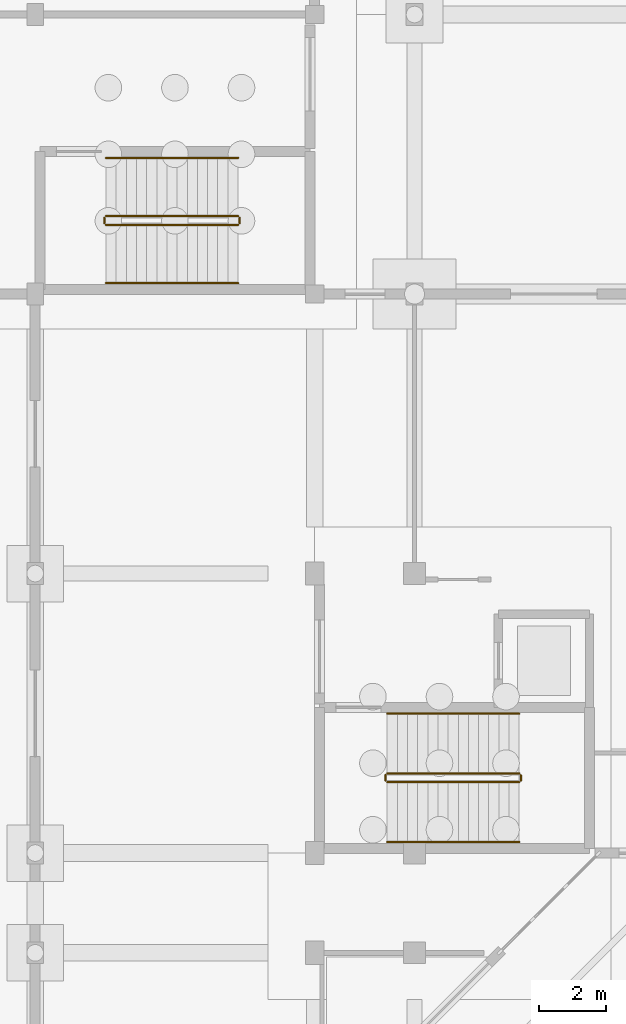
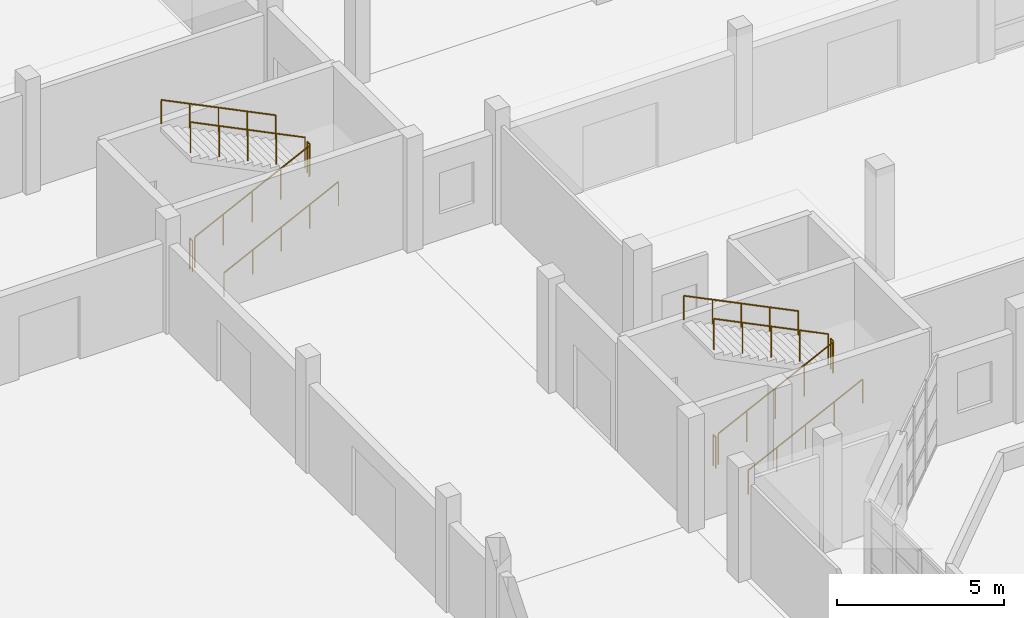
# One storey, part 81 of 88: 12 railings.
"""IFC4 building model written with IfcOpenShell, lengths in metres."""

from ifc_helpers import new_model, si_unit, direction, frame, origin, origin_2d, place, context, subcontext, project, spatial, circle, extrude, material, type_object, element, save


model = new_model("IFC4")

# Units and contexts
model_context = context("Model", 3, precision=1e-05, world=origin(), true_north=direction((0.0, 1.0)))
body_context = subcontext(model_context, "Body", "Model", "MODEL_VIEW")
ifc_project = project(units=[si_unit("LENGTHUNIT", "METRE"), si_unit("AREAUNIT", "SQUARE_METRE"), si_unit("VOLUMEUNIT", "CUBIC_METRE"), si_unit("PLANEANGLEUNIT", "RADIAN"), si_unit("MASSUNIT", "GRAM", prefix="KILO")], contexts=[model_context])

# Site, building, storey
site_placement = place(None, origin())
site = spatial("IfcSite", under=ifc_project, at=site_placement, CompositionType="ELEMENT")
building_placement = place(site_placement, origin())
building = spatial("IfcBuilding", under=site, at=building_placement, Name="Vanh Quang Courtyard School", CompositionType="ELEMENT")
storey_placement = place(building_placement, origin())
storey = spatial("IfcBuildingStorey", under=building, at=storey_placement, Name="L00", CompositionType="ELEMENT", Elevation=0.0)

# Railings
ifc_material_1 = material(Name="Galvanised painted steel EN 10025-2 S355J2", Category="steel")
railing_type_1 = type_object("IfcRailingType", Name="RAIL-GUARD-1150", PredefinedType="BALUSTRADE", material=ifc_material_1)
railing_1_placement = place(storey_placement, frame((39.97998046875, 73.530029296875, 0.14990234375)))
element("IfcRailing", 1, at=railing_1_placement, inside=storey, type_object=railing_type_1, Name="L00 ST-03 stair guard 1", PredefinedType="BALUSTRADE", context=body_context, shape_type="SweptSolid", body=[
    extrude(circle(Radius=0.02392578125, at=origin_2d()), frame((0.0, 0.0, 1.1259765625), z_axis=(0.897336335206, 0.0, 0.441347370582), x_axis=(0.0, 1.0, 0.0)), (0.0, 0.0, 1.0), 4.418701171875),
    extrude(circle(Radius=0.02099609375, at=origin_2d()), origin(), (0.0, 0.0, 1.0), 1.101806640625),
    extrude(circle(Radius=0.02099609375, at=origin_2d()), frame((0.9912109375, 0.0, 0.487548828125)), (0.0, 0.0, 1.0), 1.101806640625),
    extrude(circle(Radius=0.02099609375, at=origin_2d()), frame((1.982421875, 0.0, 0.97509765625)), (0.0, 0.0, 1.0), 1.101806640625),
    extrude(circle(Radius=0.02099609375, at=origin_2d()), frame((2.973876953125, 0.0, 1.462646484375)), (0.0, 0.0, 1.0), 1.101806640625),
    extrude(circle(Radius=0.02099609375, at=origin_2d()), frame((3.965087890625, 0.0, 1.9501953125)), (0.0, 0.0, 1.0), 1.101806640625),
])
railing_2_placement = place(storey_placement, frame((43.9951171875, 73.580078125, 2.10009765625)))
element("IfcRailing", 2, at=railing_2_placement, inside=storey, type_object=railing_type_1, Name="L00 ST-03 stair guard 2", PredefinedType="BALUSTRADE", context=body_context, shape_type="SweptSolid", body=[
    extrude(circle(Radius=0.02392578125, at=origin_2d()), frame((0.0, 0.0, 1.1259765625), z_axis=(0.0, 1.0, 0.0), x_axis=(-1.0, 0.0, 0.0)), (0.0, 0.0, 1.0), 0.159912109375),
    extrude(circle(Radius=0.02099609375, at=origin_2d()), origin(), (0.0, 0.0, 1.0), 1.101806640625),
    extrude(circle(Radius=0.02099609375, at=origin_2d()), frame((0.0, 0.159912109375, 0.0)), (0.0, 0.0, 1.0), 1.101806640625),
])
railing_3_placement = place(storey_placement, frame((43.945068359375, 73.7900390625, 2.25)))
element("IfcRailing", 3, at=railing_3_placement, inside=storey, type_object=railing_type_1, Name="L00 ST-03 stair guard 3", PredefinedType="BALUSTRADE", context=body_context, shape_type="SweptSolid", body=[
    extrude(circle(Radius=0.02392578125, at=origin_2d()), frame((0.0, 0.0, 1.1259765625), z_axis=(-0.897358216196, 0.0, 0.441302879919), x_axis=(0.0, -1.0, 0.0)), (0.0, 0.0, 1.0), 4.418701171875),
    extrude(circle(Radius=0.02099609375, at=origin_2d()), origin(), (0.0, 0.0, 1.0), 1.101806640625),
    extrude(circle(Radius=0.02099609375, at=origin_2d()), frame((-0.9912109375, 0.0, 0.487548828125)), (0.0, 0.0, 1.0), 1.101806640625),
    extrude(circle(Radius=0.02099609375, at=origin_2d()), frame((-1.982421875, 0.0, 0.97509765625)), (0.0, 0.0, 1.0), 1.101806640625),
    extrude(circle(Radius=0.02099609375, at=origin_2d()), frame((-2.973876953125, 0.0, 1.46240234375)), (0.0, 0.0, 1.0), 1.101806640625),
    extrude(circle(Radius=0.02099609375, at=origin_2d()), frame((-3.965087890625, 0.0, 1.949951171875)), (0.0, 0.0, 1.0), 1.101806640625),
])
railing_4_placement = place(storey_placement, frame((39.929931640625, 73.580078125, 0.0)))
element("IfcRailing", 4, at=railing_4_placement, inside=storey, type_object=railing_type_1, Name="L00 ST-03 stair guard 4", PredefinedType="BALUSTRADE", context=body_context, shape_type="SweptSolid", body=[
    extrude(circle(Radius=0.02392578125, at=origin_2d()), frame((0.0, 0.0, 1.1259765625), z_axis=(0.0, 1.0, 0.0), x_axis=(-1.0, 0.0, 0.0)), (0.0, 0.0, 1.0), 0.159912109375),
    extrude(circle(Radius=0.02099609375, at=origin_2d()), origin(), (0.0, 0.0, 1.0), 1.101806640625),
    extrude(circle(Radius=0.02099609375, at=origin_2d()), frame((0.0, 0.159912109375, 0.0)), (0.0, 0.0, 1.0), 1.101806640625),
])
railing_5_placement = place(storey_placement, frame((31.530029296875, 90.280029296875, 0.14990234375)))
element("IfcRailing", 5, at=railing_5_placement, inside=storey, type_object=railing_type_1, Name="L00 ST-07 stair guard 1", PredefinedType="BALUSTRADE", context=body_context, shape_type="SweptSolid", body=[
    extrude(circle(Radius=0.02392578125, at=origin_2d()), frame((0.0, 0.0, 1.1259765625), z_axis=(0.897336335206, 0.0, 0.441347370582), x_axis=(0.0, 1.0, 0.0)), (0.0, 0.0, 1.0), 4.418701171875),
    extrude(circle(Radius=0.02099609375, at=origin_2d()), origin(), (0.0, 0.0, 1.0), 1.101806640625),
    extrude(circle(Radius=0.02099609375, at=origin_2d()), frame((0.9912109375, 0.0, 0.487548828125)), (0.0, 0.0, 1.0), 1.101806640625),
    extrude(circle(Radius=0.02099609375, at=origin_2d()), frame((1.982421875, 0.0, 0.97509765625)), (0.0, 0.0, 1.0), 1.101806640625),
    extrude(circle(Radius=0.02099609375, at=origin_2d()), frame((2.973876953125, 0.0, 1.462646484375)), (0.0, 0.0, 1.0), 1.101806640625),
    extrude(circle(Radius=0.02099609375, at=origin_2d()), frame((3.965087890625, 0.0, 1.9501953125)), (0.0, 0.0, 1.0), 1.101806640625),
])
railing_6_placement = place(storey_placement, frame((35.544921875, 90.330078125, 2.10009765625)))
element("IfcRailing", 6, at=railing_6_placement, inside=storey, type_object=railing_type_1, Name="L00 ST-07 stair guard 2", PredefinedType="BALUSTRADE", context=body_context, shape_type="SweptSolid", body=[
    extrude(circle(Radius=0.02392578125, at=origin_2d()), frame((0.0, 0.0, 1.1259765625), z_axis=(0.0, 1.0, 0.0), x_axis=(-1.0, 0.0, 0.0)), (0.0, 0.0, 1.0), 0.159912109375),
    extrude(circle(Radius=0.02099609375, at=origin_2d()), origin(), (0.0, 0.0, 1.0), 1.101806640625),
    extrude(circle(Radius=0.02099609375, at=origin_2d()), frame((0.0, 0.159912109375, 0.0)), (0.0, 0.0, 1.0), 1.101806640625),
])
railing_7_placement = place(storey_placement, frame((35.4951171875, 90.5400390625, 2.25)))
element("IfcRailing", 7, at=railing_7_placement, inside=storey, type_object=railing_type_1, Name="L00 ST-07 stair guard 3", PredefinedType="BALUSTRADE", context=body_context, shape_type="SweptSolid", body=[
    extrude(circle(Radius=0.02392578125, at=origin_2d()), frame((0.0, 0.0, 1.1259765625), z_axis=(-0.897358216196, 0.0, 0.441302879919), x_axis=(0.0, -1.0, 0.0)), (0.0, 0.0, 1.0), 4.418701171875),
    extrude(circle(Radius=0.02099609375, at=origin_2d()), origin(), (0.0, 0.0, 1.0), 1.101806640625),
    extrude(circle(Radius=0.02099609375, at=origin_2d()), frame((-0.9912109375, 0.0, 0.487548828125)), (0.0, 0.0, 1.0), 1.101806640625),
    extrude(circle(Radius=0.02099609375, at=origin_2d()), frame((-1.982421875, 0.0, 0.97509765625)), (0.0, 0.0, 1.0), 1.101806640625),
    extrude(circle(Radius=0.02099609375, at=origin_2d()), frame((-2.973876953125, 0.0, 1.46240234375)), (0.0, 0.0, 1.0), 1.101806640625),
    extrude(circle(Radius=0.02099609375, at=origin_2d()), frame((-3.965087890625, 0.0, 1.949951171875)), (0.0, 0.0, 1.0), 1.101806640625),
])
railing_8_placement = place(storey_placement, frame((31.47998046875, 90.330078125, 0.0)))
element("IfcRailing", 8, at=railing_8_placement, inside=storey, type_object=railing_type_1, Name="L00 ST-07 stair guard 4", PredefinedType="BALUSTRADE", context=body_context, shape_type="SweptSolid", body=[
    extrude(circle(Radius=0.02392578125, at=origin_2d()), frame((0.0, 0.0, 1.1259765625), z_axis=(0.0, 1.0, 0.0), x_axis=(-1.0, 0.0, 0.0)), (0.0, 0.0, 1.0), 0.159912109375),
    extrude(circle(Radius=0.02099609375, at=origin_2d()), origin(), (0.0, 0.0, 1.0), 1.101806640625),
    extrude(circle(Radius=0.02099609375, at=origin_2d()), frame((0.0, 0.159912109375, 0.0)), (0.0, 0.0, 1.0), 1.101806640625),
])
ifc_material_2 = material(Name="Brushed stainless steel", Category="steel")
railing_type_2 = type_object("IfcRailingType", Name="RAIL-HAND-900", PredefinedType="HANDRAIL", material=ifc_material_2)
railing_9_placement = place(storey_placement, frame((39.97998046875, 71.72998046875, 0.14990234375)))
element("IfcRailing", 9, at=railing_9_placement, inside=storey, type_object=railing_type_2, Name="L00 ST-03 stair handrail 1", PredefinedType="HANDRAIL", context=body_context, shape_type="SweptSolid", body=[
    extrude(circle(Radius=0.02392578125, at=origin_2d()), frame((0.0, 0.0, 0.8759765625), z_axis=(0.897336335206, 0.0, 0.441347370582), x_axis=(0.0, 1.0, 0.0)), (0.0, 0.0, 1.0), 4.418701171875),
    extrude(circle(Radius=0.02099609375, at=origin_2d()), origin(), (0.0, 0.0, 1.0), 0.851806640625),
    extrude(circle(Radius=0.02099609375, at=origin_2d()), frame((0.9912109375, 0.0, 0.487548828125)), (0.0, 0.0, 1.0), 0.851806640625),
    extrude(circle(Radius=0.02099609375, at=origin_2d()), frame((1.982421875, 0.0, 0.97509765625)), (0.0, 0.0, 1.0), 0.851806640625),
    extrude(circle(Radius=0.02099609375, at=origin_2d()), frame((2.973876953125, 0.0, 1.462646484375)), (0.0, 0.0, 1.0), 0.851806640625),
    extrude(circle(Radius=0.02099609375, at=origin_2d()), frame((3.965087890625, 0.0, 1.9501953125)), (0.0, 0.0, 1.0), 0.851806640625),
])
railing_10_placement = place(storey_placement, frame((43.945068359375, 75.590087890625, 2.25)))
element("IfcRailing", 10, at=railing_10_placement, inside=storey, type_object=railing_type_2, Name="L00 ST-03 stair handrail 2", PredefinedType="HANDRAIL", context=body_context, shape_type="SweptSolid", body=[
    extrude(circle(Radius=0.02392578125, at=origin_2d()), frame((0.0, 0.0, 0.8759765625), z_axis=(-0.897358216196, 0.0, 0.441302879919), x_axis=(0.0, -1.0, 0.0)), (0.0, 0.0, 1.0), 4.418701171875),
    extrude(circle(Radius=0.02099609375, at=origin_2d()), origin(), (0.0, 0.0, 1.0), 0.851806640625),
    extrude(circle(Radius=0.02099609375, at=origin_2d()), frame((-0.9912109375, 0.0, 0.487548828125)), (0.0, 0.0, 1.0), 0.851806640625),
    extrude(circle(Radius=0.02099609375, at=origin_2d()), frame((-1.982421875, 0.0, 0.97509765625)), (0.0, 0.0, 1.0), 0.851806640625),
    extrude(circle(Radius=0.02099609375, at=origin_2d()), frame((-2.973876953125, 0.0, 1.46240234375)), (0.0, 0.0, 1.0), 0.851806640625),
    extrude(circle(Radius=0.02099609375, at=origin_2d()), frame((-3.965087890625, 0.0, 1.949951171875)), (0.0, 0.0, 1.0), 0.851806640625),
])
railing_11_placement = place(storey_placement, frame((31.530029296875, 88.530029296875, 0.14990234375)))
element("IfcRailing", 11, at=railing_11_placement, inside=storey, type_object=railing_type_2, Name="L00 ST-07 stair handrail 1", PredefinedType="HANDRAIL", context=body_context, shape_type="SweptSolid", body=[
    extrude(circle(Radius=0.02392578125, at=origin_2d()), frame((0.0, 0.0, 0.8759765625), z_axis=(0.897336335206, 0.0, 0.441347370582), x_axis=(0.0, 1.0, 0.0)), (0.0, 0.0, 1.0), 4.418701171875),
    extrude(circle(Radius=0.02099609375, at=origin_2d()), origin(), (0.0, 0.0, 1.0), 0.851806640625),
    extrude(circle(Radius=0.02099609375, at=origin_2d()), frame((0.9912109375, 0.0, 0.487548828125)), (0.0, 0.0, 1.0), 0.851806640625),
    extrude(circle(Radius=0.02099609375, at=origin_2d()), frame((1.982421875, 0.0, 0.97509765625)), (0.0, 0.0, 1.0), 0.851806640625),
    extrude(circle(Radius=0.02099609375, at=origin_2d()), frame((2.973876953125, 0.0, 1.462646484375)), (0.0, 0.0, 1.0), 0.851806640625),
    extrude(circle(Radius=0.02099609375, at=origin_2d()), frame((3.965087890625, 0.0, 1.9501953125)), (0.0, 0.0, 1.0), 0.851806640625),
])
railing_12_placement = place(storey_placement, frame((35.4951171875, 92.2900390625, 2.25)))
element("IfcRailing", 12, at=railing_12_placement, inside=storey, type_object=railing_type_2, Name="L00 ST-07 stair handrail 2", PredefinedType="HANDRAIL", context=body_context, shape_type="SweptSolid", body=[
    extrude(circle(Radius=0.02392578125, at=origin_2d()), frame((0.0, 0.0, 0.8759765625), z_axis=(-0.897358216196, 0.0, 0.441302879919), x_axis=(0.0, -1.0, 0.0)), (0.0, 0.0, 1.0), 4.418701171875),
    extrude(circle(Radius=0.02099609375, at=origin_2d()), origin(), (0.0, 0.0, 1.0), 0.851806640625),
    extrude(circle(Radius=0.02099609375, at=origin_2d()), frame((-0.9912109375, 0.0, 0.487548828125)), (0.0, 0.0, 1.0), 0.851806640625),
    extrude(circle(Radius=0.02099609375, at=origin_2d()), frame((-1.982421875, 0.0, 0.97509765625)), (0.0, 0.0, 1.0), 0.851806640625),
    extrude(circle(Radius=0.02099609375, at=origin_2d()), frame((-2.973876953125, 0.0, 1.46240234375)), (0.0, 0.0, 1.0), 0.851806640625),
    extrude(circle(Radius=0.02099609375, at=origin_2d()), frame((-3.965087890625, 0.0, 1.949951171875)), (0.0, 0.0, 1.0), 0.851806640625),
])

save(model, "model.ifc")
